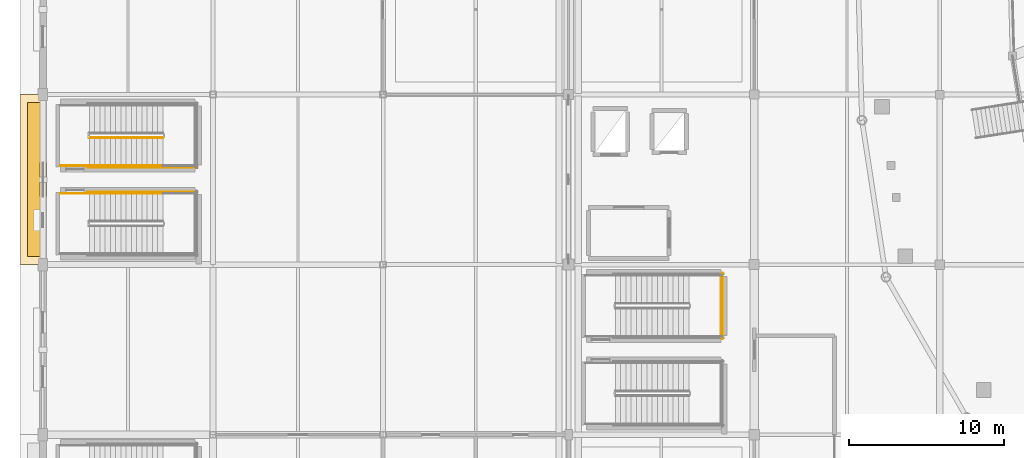
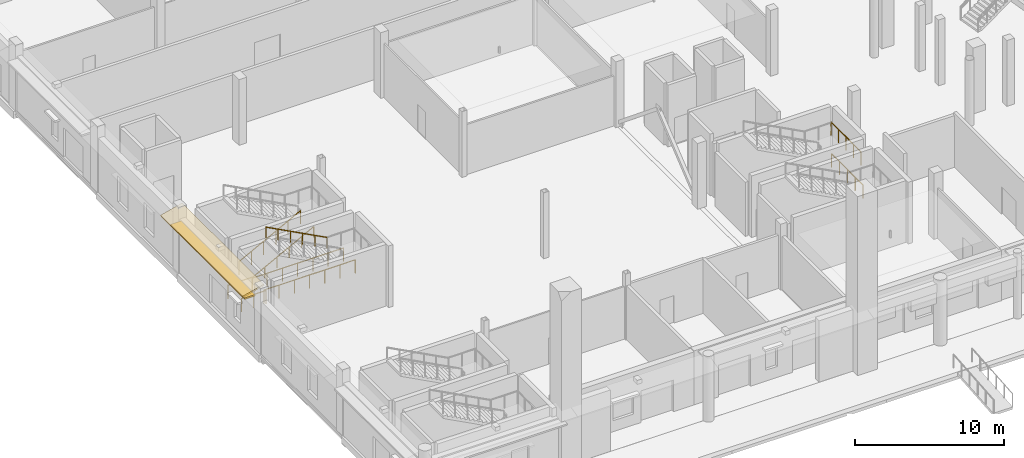
# One storey, part 97 of 120: 9 railings, 1 covering, 1 shading device.
"""IFC4 building model written with IfcOpenShell, lengths in metres."""

from ifc_helpers import new_model, si_unit, direction, frame, origin, origin_2d, place, context, subcontext, project, spatial, polyline, rectangle, circle, outline, extrude, material, layer, layer_set, type_object, element, save


model = new_model("IFC4")

# Units and contexts
model_context = context("Model", 3, precision=1e-05, world=origin(), true_north=direction((0.0, 1.0)))
body_context = subcontext(model_context, "Body", "Model", "MODEL_VIEW")
ifc_project = project(units=[si_unit("LENGTHUNIT", "METRE"), si_unit("AREAUNIT", "SQUARE_METRE"), si_unit("VOLUMEUNIT", "CUBIC_METRE"), si_unit("PLANEANGLEUNIT", "RADIAN"), si_unit("MASSUNIT", "GRAM", prefix="KILO")], contexts=[model_context])

# Site, building, storey
site_placement = place(None, origin())
site = spatial("IfcSite", under=ifc_project, at=site_placement, CompositionType="ELEMENT")
building_placement = place(site_placement, origin())
building = spatial("IfcBuilding", under=site, at=building_placement, Name="Luwafu Chhajja Arena", CompositionType="ELEMENT")
storey_placement = place(building_placement, origin())
storey = spatial("IfcBuildingStorey", under=building, at=storey_placement, Name="L00", CompositionType="ELEMENT", Elevation=0.0)

# Covering
ifc_material_1 = material(Name="Red laterite sandstone cladding", Category="masonry")
ifc_layer_1 = layer(ifc_material_1, 0.074951171875, Name="Red laterite sandstone cladding")
ifc_layer_set_1 = layer_set([ifc_layer_1], Name="Red laterite sandstone cladding")
covering_type = type_object("IfcCoveringType", Name="Dressed Red-Laterite Sandstone Cladding", PredefinedType="CLADDING", material=ifc_layer_set_1)
covering_placement = place(storey_placement, frame((0.199951171875, 22.0, 5.360107421875), z_axis=(-0.242635142566, 0.0, 0.970117615339), x_axis=(0.0, 1.0, 0.0)))
element("IfcCovering", 1, at=covering_placement, inside=storey, type_object=covering_type, Name="L00 Continuous Sloped Sandstone Chhajja Eave 0004", PredefinedType="CLADDING", context=body_context, shape_type="SweptSolid", body=[
    extrude(outline(polyline([(0.0, 0.0), (11.0, 0.0), (11.0, 1.7316783182390405), (0.0, 1.7316783182390405), (0.0, 0.0)])), origin(), (0.0, 0.0, -1.0), 0.1298828125),
])

# Shading device
ifc_material_2 = material(Name="Red laterite sandstone chhajja", Category="masonry")
ifc_layer_2 = layer(ifc_material_2, 0.1201171875, Name="Red laterite sandstone chhajja")
ifc_layer_set_2 = layer_set([ifc_layer_2], Name="Red laterite sandstone chhajja")
shading_device_type = type_object("IfcShadingDeviceType", Name="Sloped Red-Sandstone Chhajja Eave", PredefinedType="USERDEFINED", material=ifc_layer_set_2)
shading_device_placement = place(storey_placement, frame((-0.5849609375, 27.5, 4.209716796875), z_axis=(0.0, 0.0, 1.0), x_axis=(0.0, 1.0, 0.0)))
element("IfcShadingDevice", 2, at=shading_device_placement, inside=storey, type_object=shading_device_type, Name="L00 Sloped Red-Sandstone Chhajja Eave 003", ObjectType="CHHAJJA", PredefinedType="USERDEFINED", context=body_context, shape_type="SweptSolid", body=[
    extrude(rectangle(XDim=9.9599609375, YDim=0.820068359375, at=origin_2d()), origin(), (0.0, 0.0, 1.0), 0.1201171875),
])

# Railings
ifc_material_3 = material(Name="Stainless steel handrail", Category="steel")
railing_type_1 = type_object("IfcRailingType", Name="Stair Pitch Wall Handrail 920", PredefinedType="HANDRAIL", material=ifc_material_3)
railing_1_placement = place(storey_placement, frame((7.760009765625, 26.60009765625, 2.8798828125)))
element("IfcRailing", 3, at=railing_1_placement, inside=storey, type_object=railing_type_1, Name="L00 ST-13 stair handrail 2", PredefinedType="HANDRAIL", context=body_context, shape_type="SweptSolid", body=[
    extrude(circle(Radius=0.02392578125, at=origin_2d()), frame((0.0, 0.0, 0.8759765625), z_axis=(-0.883786813738, 0.0, 0.467889803119), x_axis=(0.0, -1.0, 0.0)), (0.0, 0.0, 1.0), 5.385986328125),
    extrude(circle(Radius=0.02099609375, at=origin_2d()), origin(), (0.0, 0.0, 1.0), 0.851806640625),
    extrude(circle(Radius=0.02099609375, at=origin_2d()), frame((-0.951904296875, 0.0, 0.50390625)), (0.0, 0.0, 1.0), 0.851806640625),
    extrude(circle(Radius=0.02099609375, at=origin_2d()), frame((-1.904052734375, 0.0, 1.008056640625)), (0.0, 0.0, 1.0), 0.851806640625),
    extrude(circle(Radius=0.02099609375, at=origin_2d()), frame((-2.85595703125, 0.0, 1.511962890625)), (0.0, 0.0, 1.0), 0.851806640625),
    extrude(circle(Radius=0.02099609375, at=origin_2d()), frame((-3.80810546875, 0.0, 2.01611328125)), (0.0, 0.0, 1.0), 0.851806640625),
    extrude(circle(Radius=0.02099609375, at=origin_2d()), frame((-4.760009765625, 0.0, 2.52001953125)), (0.0, 0.0, 1.0), 0.851806640625),
])
railing_2_placement = place(storey_placement, frame((3.0, 28.39990234375, 0.179931640625)))
element("IfcRailing", 4, at=railing_2_placement, inside=storey, type_object=railing_type_1, Name="L00 ST-14 stair handrail 1", PredefinedType="HANDRAIL", context=body_context, shape_type="SweptSolid", body=[
    extrude(circle(Radius=0.02392578125, at=origin_2d()), frame((0.0, 0.0, 0.8759765625), z_axis=(0.883786813738, 0.0, 0.467889803119), x_axis=(0.0, 1.0, 0.0)), (0.0, 0.0, 1.0), 5.385986328125),
    extrude(circle(Radius=0.02099609375, at=origin_2d()), origin(), (0.0, 0.0, 1.0), 0.851806640625),
    extrude(circle(Radius=0.02099609375, at=origin_2d()), frame((0.951904296875, 0.0, 0.50390625)), (0.0, 0.0, 1.0), 0.851806640625),
    extrude(circle(Radius=0.02099609375, at=origin_2d()), frame((1.904052734375, 0.0, 1.008056640625)), (0.0, 0.0, 1.0), 0.851806640625),
    extrude(circle(Radius=0.02099609375, at=origin_2d()), frame((2.85595703125, 0.0, 1.511962890625)), (0.0, 0.0, 1.0), 0.851806640625),
    extrude(circle(Radius=0.02099609375, at=origin_2d()), frame((3.80810546875, 0.0, 2.01611328125)), (0.0, 0.0, 1.0), 0.851806640625),
    extrude(circle(Radius=0.02099609375, at=origin_2d()), frame((4.760009765625, 0.0, 2.52001953125)), (0.0, 0.0, 1.0), 0.851806640625),
])
ifc_material_4 = material(Name="Stainless steel balustrade", Category="steel")
railing_type_2 = type_object("IfcRailingType", Name="Stair and Terrace Guard Balustrade 1100", PredefinedType="BALUSTRADE", material=ifc_material_4)
railing_3_placement = place(storey_placement, frame((43.85009765625, 17.31005859375, 2.699951171875)))
element("IfcRailing", 5, at=railing_3_placement, inside=storey, type_object=railing_type_2, Name="L00 ST-02 stair guard 5", PredefinedType="BALUSTRADE", context=body_context, shape_type="SweptSolid", body=[
    extrude(circle(Radius=0.02392578125, at=origin_2d()), frame((0.0, 0.0, 1.076171875), z_axis=(0.0, 1.0, 0.0), x_axis=(-1.0, 0.0, 0.0)), (0.0, 0.0, 1.0), 4.0400390625),
    extrude(circle(Radius=0.02099609375, at=origin_2d()), origin(), (0.0, 0.0, 1.0), 1.052001953125),
    extrude(circle(Radius=0.02099609375, at=origin_2d()), frame((0.0, 1.010009765625, 0.0)), (0.0, 0.0, 1.0), 1.052001953125),
    extrude(circle(Radius=0.02099609375, at=origin_2d()), frame((0.0, 2.02001953125, 0.0)), (0.0, 0.0, 1.0), 1.052001953125),
    extrude(circle(Radius=0.02099609375, at=origin_2d()), frame((0.0, 3.030029296875, 0.0)), (0.0, 0.0, 1.0), 1.052001953125),
    extrude(circle(Radius=0.02099609375, at=origin_2d()), frame((0.0, 4.0400390625, 0.0)), (0.0, 0.0, 1.0), 1.052001953125),
])
railing_4_placement = place(storey_placement, frame((43.949951171875, 17.2099609375, 0.0)))
element("IfcRailing", 6, at=railing_4_placement, inside=storey, type_object=railing_type_2, Name="L00 ST-02 stair guard 12", PredefinedType="BALUSTRADE", context=body_context, shape_type="SweptSolid", body=[
    extrude(circle(Radius=0.02392578125, at=origin_2d()), frame((0.0, 0.0, 1.076171875), z_axis=(0.0, 1.0, 0.0), x_axis=(-1.0, 0.0, 0.0)), (0.0, 0.0, 1.0), 4.239990234375),
    extrude(circle(Radius=0.02099609375, at=origin_2d()), origin(), (0.0, 0.0, 1.0), 1.052001953125),
    extrude(circle(Radius=0.02099609375, at=origin_2d()), frame((0.0, 1.06005859375, 0.0)), (0.0, 0.0, 1.0), 1.052001953125),
    extrude(circle(Radius=0.02099609375, at=origin_2d()), frame((0.0, 2.1201171875, 0.0)), (0.0, 0.0, 1.0), 1.052001953125),
    extrude(circle(Radius=0.02099609375, at=origin_2d()), frame((0.0, 3.179931640625, 0.0)), (0.0, 0.0, 1.0), 1.052001953125),
    extrude(circle(Radius=0.02099609375, at=origin_2d()), frame((0.0, 4.239990234375, 0.0)), (0.0, 0.0, 1.0), 1.052001953125),
])
railing_5_placement = place(storey_placement, frame((1.10009765625, 26.60009765625, 0.0)))
element("IfcRailing", 7, at=railing_5_placement, inside=storey, type_object=railing_type_2, Name="L00 ST-13 stair guard 9", PredefinedType="BALUSTRADE", context=body_context, shape_type="SweptSolid", body=[
    extrude(circle(Radius=0.02392578125, at=origin_2d()), frame((0.0, 0.0, 1.076171875), z_axis=(1.0, 0.0, 0.0), x_axis=(0.0, 1.0, 0.0)), (0.0, 0.0, 1.0), 1.89990234375),
    extrude(circle(Radius=0.02099609375, at=origin_2d()), origin(), (0.0, 0.0, 1.0), 1.052001953125),
    extrude(circle(Radius=0.02099609375, at=origin_2d()), frame((0.949951171875, 0.0, 0.0)), (0.0, 0.0, 1.0), 1.052001953125),
    extrude(circle(Radius=0.02099609375, at=origin_2d()), frame((1.89990234375, 0.0, 0.0)), (0.0, 0.0, 1.0), 1.052001953125),
])
railing_6_placement = place(storey_placement, frame((2.89990234375, 26.699951171875, 0.0)))
element("IfcRailing", 8, at=railing_6_placement, inside=storey, type_object=railing_type_2, Name="L00 ST-13 stair guard 11", PredefinedType="BALUSTRADE", context=body_context, shape_type="SweptSolid", body=[
    extrude(circle(Radius=0.02392578125, at=origin_2d()), frame((0.0, 0.0, 1.076171875), z_axis=(1.0, 0.0, 0.0), x_axis=(0.0, 1.0, 0.0)), (0.0, 0.0, 1.0), 7.10009765625),
    extrude(circle(Radius=0.02099609375, at=origin_2d()), origin(), (0.0, 0.0, 1.0), 1.052001953125),
    extrude(circle(Radius=0.02099609375, at=origin_2d()), frame((1.183349609375, 0.0, 0.0)), (0.0, 0.0, 1.0), 1.052001953125),
    extrude(circle(Radius=0.02099609375, at=origin_2d()), frame((2.36669921875, 0.0, 0.0)), (0.0, 0.0, 1.0), 1.052001953125),
    extrude(circle(Radius=0.02099609375, at=origin_2d()), frame((3.550048828125, 0.0, 0.0)), (0.0, 0.0, 1.0), 1.052001953125),
    extrude(circle(Radius=0.02099609375, at=origin_2d()), frame((4.7333984375, 0.0, 0.0)), (0.0, 0.0, 1.0), 1.052001953125),
    extrude(circle(Radius=0.02099609375, at=origin_2d()), frame((5.916748046875, 0.0, 0.0)), (0.0, 0.0, 1.0), 1.052001953125),
    extrude(circle(Radius=0.02099609375, at=origin_2d()), frame((7.10009765625, 0.0, 0.0)), (0.0, 0.0, 1.0), 1.052001953125),
])
railing_7_placement = place(storey_placement, frame((3.0, 30.199951171875, 0.179931640625)))
element("IfcRailing", 9, at=railing_7_placement, inside=storey, type_object=railing_type_2, Name="L00 ST-14 stair guard 1", PredefinedType="BALUSTRADE", context=body_context, shape_type="SweptSolid", body=[
    extrude(circle(Radius=0.02392578125, at=origin_2d()), frame((0.0, 0.0, 1.076171875), z_axis=(0.883786813738, 0.0, 0.467889803119), x_axis=(0.0, 1.0, 0.0)), (0.0, 0.0, 1.0), 5.385986328125),
    extrude(circle(Radius=0.02099609375, at=origin_2d()), origin(), (0.0, 0.0, 1.0), 1.052001953125),
    extrude(circle(Radius=0.02099609375, at=origin_2d()), frame((0.951904296875, 0.0, 0.50390625)), (0.0, 0.0, 1.0), 1.052001953125),
    extrude(circle(Radius=0.02099609375, at=origin_2d()), frame((1.904052734375, 0.0, 1.008056640625)), (0.0, 0.0, 1.0), 1.052001953125),
    extrude(circle(Radius=0.02099609375, at=origin_2d()), frame((2.85595703125, 0.0, 1.511962890625)), (0.0, 0.0, 1.0), 1.052001953125),
    extrude(circle(Radius=0.02099609375, at=origin_2d()), frame((3.80810546875, 0.0, 2.01611328125)), (0.0, 0.0, 1.0), 1.052001953125),
    extrude(circle(Radius=0.02099609375, at=origin_2d()), frame((4.760009765625, 0.0, 2.52001953125)), (0.0, 0.0, 1.0), 1.052001953125),
])
railing_8_placement = place(storey_placement, frame((1.10009765625, 28.39990234375, 0.0)))
element("IfcRailing", 10, at=railing_8_placement, inside=storey, type_object=railing_type_2, Name="L00 ST-14 stair guard 8", PredefinedType="BALUSTRADE", context=body_context, shape_type="SweptSolid", body=[
    extrude(circle(Radius=0.02392578125, at=origin_2d()), frame((0.0, 0.0, 1.076171875), z_axis=(1.0, 0.0, 0.0), x_axis=(0.0, 1.0, 0.0)), (0.0, 0.0, 1.0), 1.89990234375),
    extrude(circle(Radius=0.02099609375, at=origin_2d()), origin(), (0.0, 0.0, 1.0), 1.052001953125),
    extrude(circle(Radius=0.02099609375, at=origin_2d()), frame((0.949951171875, 0.0, 0.0)), (0.0, 0.0, 1.0), 1.052001953125),
    extrude(circle(Radius=0.02099609375, at=origin_2d()), frame((1.89990234375, 0.0, 0.0)), (0.0, 0.0, 1.0), 1.052001953125),
])
railing_9_placement = place(storey_placement, frame((2.89990234375, 28.300048828125, 0.0)))
element("IfcRailing", 11, at=railing_9_placement, inside=storey, type_object=railing_type_2, Name="L00 ST-14 stair guard 10", PredefinedType="BALUSTRADE", context=body_context, shape_type="SweptSolid", body=[
    extrude(circle(Radius=0.02392578125, at=origin_2d()), frame((0.0, 0.0, 1.076171875), z_axis=(1.0, 0.0, 0.0), x_axis=(0.0, 1.0, 0.0)), (0.0, 0.0, 1.0), 7.10009765625),
    extrude(circle(Radius=0.02099609375, at=origin_2d()), origin(), (0.0, 0.0, 1.0), 1.052001953125),
    extrude(circle(Radius=0.02099609375, at=origin_2d()), frame((1.183349609375, 0.0, 0.0)), (0.0, 0.0, 1.0), 1.052001953125),
    extrude(circle(Radius=0.02099609375, at=origin_2d()), frame((2.36669921875, 0.0, 0.0)), (0.0, 0.0, 1.0), 1.052001953125),
    extrude(circle(Radius=0.02099609375, at=origin_2d()), frame((3.550048828125, 0.0, 0.0)), (0.0, 0.0, 1.0), 1.052001953125),
    extrude(circle(Radius=0.02099609375, at=origin_2d()), frame((4.7333984375, 0.0, 0.0)), (0.0, 0.0, 1.0), 1.052001953125),
    extrude(circle(Radius=0.02099609375, at=origin_2d()), frame((5.916748046875, 0.0, 0.0)), (0.0, 0.0, 1.0), 1.052001953125),
    extrude(circle(Radius=0.02099609375, at=origin_2d()), frame((7.10009765625, 0.0, 0.0)), (0.0, 0.0, 1.0), 1.052001953125),
])

save(model, "model.ifc")
